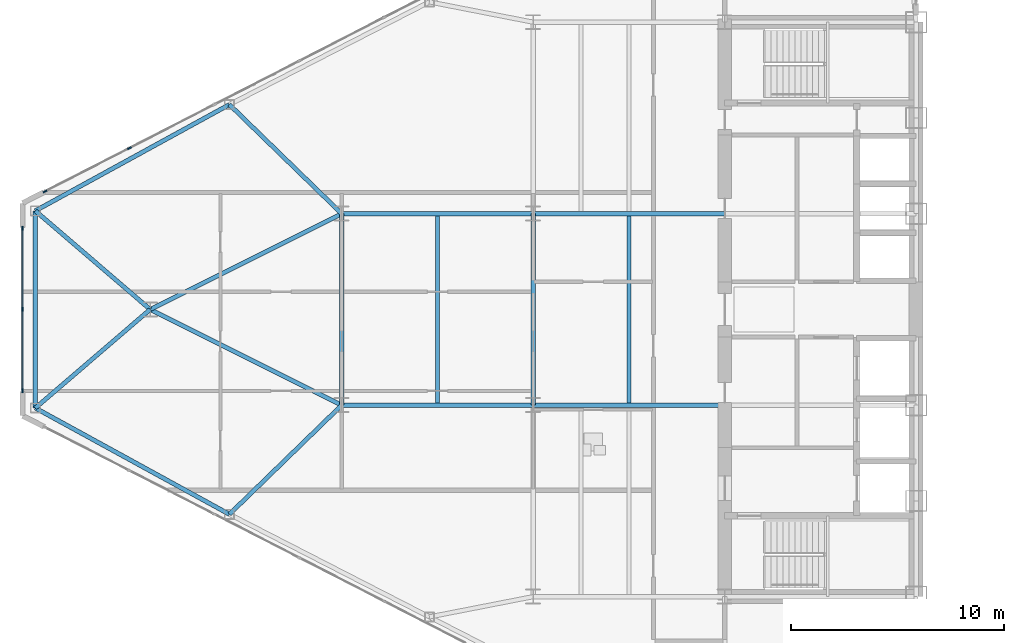
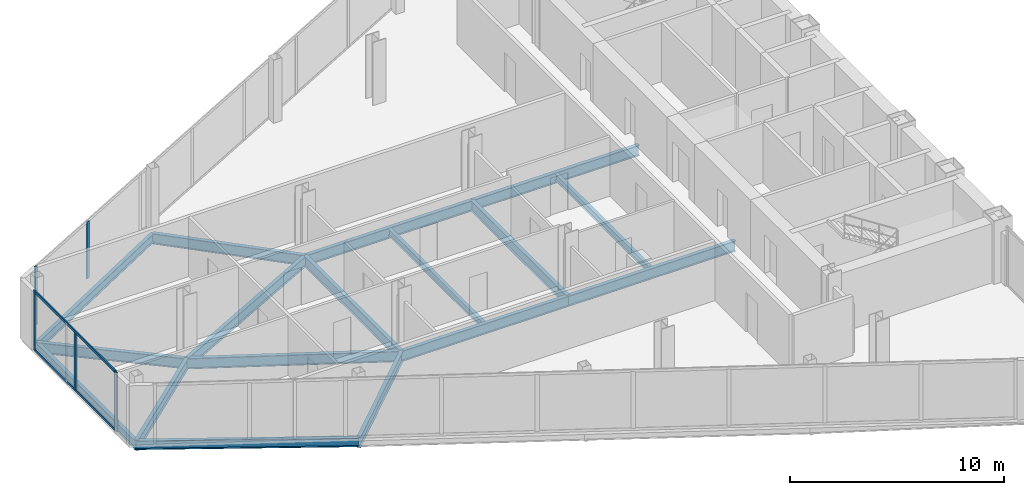
# One storey, part 4 of 23: 17 beams, 7 members, 2 elements without a shape of their own.
"""IFC4 building model written with IfcOpenShell, lengths in metres."""

from ifc_helpers import new_model, si_unit, direction, frame, origin, origin_2d, place, context, subcontext, project, spatial, rectangle, i_section, extrude, source, transform, mapped, material, layer, layer_set, material_profile, profile_set, type_object, type_shapes, element, aggregate, save


model = new_model("IFC4")

# Units and contexts
model_context = context("Model", 3, precision=1e-05, world=origin(), true_north=direction((0.0, 1.0)))
body_context = subcontext(model_context, "Body", "Model", "MODEL_VIEW")
ifc_project = project(units=[si_unit("LENGTHUNIT", "METRE"), si_unit("AREAUNIT", "SQUARE_METRE"), si_unit("VOLUMEUNIT", "CUBIC_METRE"), si_unit("PLANEANGLEUNIT", "RADIAN"), si_unit("MASSUNIT", "GRAM", prefix="KILO")], contexts=[model_context])

# Site, building, storey
site_placement = place(None, origin())
site = spatial("IfcSite", under=ifc_project, at=site_placement, CompositionType="ELEMENT")
building_placement = place(site_placement, origin())
building = spatial("IfcBuilding", under=site, at=building_placement, Name="Seokmaru Belvedere", CompositionType="ELEMENT")
storey_placement = place(building_placement, frame((0.0, 0.0, 128.39990234375)))
storey = spatial("IfcBuildingStorey", under=building, at=storey_placement, Name="L34", CompositionType="ELEMENT", Elevation=128.39990234375)

# Beams
ifc_material_1 = material(Name="Steel SM355 (355 MPa)", Category="steel")
ifc_material_profile_1 = material_profile(ifc_material_1, i_section(OverallWidth=0.199951171875, OverallDepth=0.60009765625, WebThickness=0.010986328125, FlangeThickness=0.01708984375, at=origin_2d()), Name="H-600x200x11x17")
ifc_profile_set_1 = profile_set([ifc_material_profile_1], Name="Steel SM355 (355 MPa)")
beam_type_1 = type_object("IfcBeamType", Name="Primary Floor Girder H-600", PredefinedType="BEAM", material=ifc_profile_set_1)
shared_shape_1 = source(origin(), body_context, "Body", "SweptSolid", [
    extrude(i_section(OverallWidth=0.199951171875, OverallDepth=0.60009765625, WebThickness=0.010986328125, FlangeThickness=0.01708984375, at=origin_2d()), origin(), (0.0, 0.0, 1.0), 9.0),
])
for number, where, z_axis, x_axis, name in (
    (1, (-45.5, -4.5, -0.52001953125), (0.0, 1.0, 0.0), (-1.0, 0.0, 0.0), "L34 W Interior Grid Girder 2"),
    (2, (-45.5, -4.5, -0.52001953125), (1.0, 0.0, 0.0), (0.0, 1.0, 0.0), "L34 W Wing Primary Girder 2"),
    (3, (-45.5, 4.5, -0.52001953125), (1.0, 0.0, 0.0), (0.0, 1.0, 0.0), "L34 W Wing Primary Girder 3"),
    (4, (-54.5, -4.5, -0.52001953125), (1.0, 0.0, 0.0), (0.0, 1.0, 0.0), "L34 W Outer Wing Girder 1"),
    (5, (-54.5, 4.5, -0.52001953125), (1.0, 0.0, 0.0), (0.0, 1.0, 0.0), "L34 W Outer Wing Girder 2"),
    (6, (-54.5, -4.5, -0.52001953125), (0.0, 1.0, 0.0), (-1.0, 0.0, 0.0), "L34 W Apex Frame Girder"),
):
    element("IfcBeam", number, at=place(storey_placement, frame(where, z_axis=z_axis, x_axis=x_axis)), inside=storey, type_object=beam_type_1, Name=name, PredefinedType="BEAM", context=body_context, shape_type="MappedRepresentation", body=[
        mapped(shared_shape_1, transform((0.0, 0.0, 0.0), scale=1.0)),
    ])
shared_shape_2 = source(origin(), body_context, "Body", "SweptSolid", [
    extrude(i_section(OverallWidth=0.199951171875, OverallDepth=0.60009765625, WebThickness=0.010986328125, FlangeThickness=0.01708984375, at=origin_2d()), origin(), (0.0, 0.0, 1.0), 10.062255859375),
])
for number, where, z_axis, x_axis, name in (
    (7, (-54.5, -4.5, -0.52001953125), (-0.894427191, 0.4472135955, 0.0), (-0.4472135955, -0.894427191, 0.0), "L34 W Apex Converging Girder 1"),
    (8, (-54.5, 4.5, -0.52001953125), (-0.894427191, -0.4472135955, 0.0), (0.4472135955, -0.894427191, 0.0), "L34 W Apex Converging Girder 2"),
):
    element("IfcBeam", number, at=place(storey_placement, frame(where, z_axis=z_axis, x_axis=x_axis)), inside=storey, type_object=beam_type_1, Name=name, PredefinedType="BEAM", context=body_context, shape_type="MappedRepresentation", body=[
        mapped(shared_shape_2, transform((0.0, 0.0, 0.0), scale=1.0)),
    ])
ifc_material_profile_2 = material_profile(ifc_material_1, i_section(OverallWidth=0.18505859375, OverallDepth=0.389892578125, WebThickness=0.008056640625, FlangeThickness=0.011962890625, at=origin_2d()), Name="H-390x185x8x12")
ifc_profile_set_2 = profile_set([ifc_material_profile_2], Name="Steel SM355 (355 MPa)")
beam_type_2 = type_object("IfcBeamType", Name="Secondary Floor Joist H-350", PredefinedType="JOIST", material=ifc_profile_set_2)
shared_shape_3 = source(origin(), body_context, "Body", "SweptSolid", [
    extrude(i_section(OverallWidth=0.18505859375, OverallDepth=0.389892578125, WebThickness=0.008056640625, FlangeThickness=0.011962890625, at=origin_2d()), origin(), (0.0, 0.0, 1.0), 8.7900390625),
])
type_shapes(beam_type_2, [shared_shape_3])
for number, where, z_axis, x_axis, name in (
    (9, (-41.0, -4.39501953125, -0.414794921875), (0.0, 1.0, 0.0), (-1.0, 0.0, 0.0), "L34 W Secondary Floor Joist 2"),
    (10, (-50.0, -4.39501953125, -0.414794921875), (0.0, 1.0, 0.0), (-1.0, 0.0, 0.0), "L34 W Outer Bay Secondary Joist"),
):
    element("IfcBeam", number, at=place(storey_placement, frame(where, z_axis=z_axis, x_axis=x_axis)), inside=storey, type_object=beam_type_2, Name=name, PredefinedType="JOIST", context=body_context, shape_type="MappedRepresentation", body=[
        mapped(shared_shape_3, transform((0.0, 0.0, 0.0), scale=1.0)),
    ])
ifc_material_profile_3 = material_profile(ifc_material_1, i_section(OverallWidth=0.199951171875, OverallDepth=0.5, WebThickness=0.010009765625, FlangeThickness=0.01611328125, at=origin_2d()), Name="H-500x200x10x16")
ifc_profile_set_3 = profile_set([ifc_material_profile_3], Name="Steel SM355 (355 MPa)")
beam_type_3 = type_object("IfcBeamType", Name="Perimeter Spandrel Beam H-500", PredefinedType="SPANDREL", material=ifc_profile_set_3)
shared_shape_4 = source(origin(), body_context, "Body", "SweptSolid", [
    extrude(i_section(OverallWidth=0.199951171875, OverallDepth=0.5, WebThickness=0.010009765625, FlangeThickness=0.01611328125, at=origin_2d()), origin(), (0.0, 0.0, 1.0), 10.399658203125),
])
for number, where, z_axis, x_axis, name in (
    (11, (-59.778564453125, -9.62890625, -0.469970703125), (-0.877082374422, 0.480339992587, 0.0), (-0.480339992587, -0.877082374422, 0.0), "L34 W Faceted Flank Spandrel S-4"),
    (12, (-59.778564453125, 9.62890625, -0.469970703125), (-0.877082374422, -0.480339992587, 0.0), (0.480339992587, -0.877082374422, 0.0), "L34 W Faceted Flank Spandrel N-4"),
):
    element("IfcBeam", number, at=place(storey_placement, frame(where, z_axis=z_axis, x_axis=x_axis)), inside=storey, type_object=beam_type_3, Name=name, PredefinedType="SPANDREL", context=body_context, shape_type="MappedRepresentation", body=[
        mapped(shared_shape_4, transform((0.0, 0.0, 0.0), scale=1.0)),
    ])
shared_shape_5 = source(origin(), body_context, "Body", "SweptSolid", [
    extrude(i_section(OverallWidth=0.199951171875, OverallDepth=0.5, WebThickness=0.010009765625, FlangeThickness=0.01611328125, at=origin_2d()), origin(), (0.0, 0.0, 1.0), 9.26708984375),
])
type_shapes(beam_type_3, [shared_shape_4, shared_shape_5])
beam_placement = place(storey_placement, frame((-68.89990234375, -4.633544921875, -0.469970703125), z_axis=(0.0, 1.0, 0.0), x_axis=(-1.0, 0.0, 0.0)))
element("IfcBeam", 13, at=beam_placement, inside=storey, type_object=beam_type_3, Name="L34 W Faceted Apex Spandrel", PredefinedType="SPANDREL", context=body_context, shape_type="MappedRepresentation", body=[
    mapped(shared_shape_5, transform((0.0, 0.0, 0.0), scale=1.0)),
])
shared_shape_6 = source(origin(), body_context, "Body", "SweptSolid", [
    extrude(i_section(OverallWidth=0.199951171875, OverallDepth=0.60009765625, WebThickness=0.010986328125, FlangeThickness=0.01708984375, at=origin_2d()), origin(), (0.0, 0.0, 1.0), 7.35986328125),
])
for number, where, z_axis, x_axis, name in (
    (14, (-59.778564453125, -9.62890625, -0.52001953125), (0.717200745515, 0.696866623273, 0.0), (-0.696866623273, 0.717200745515, 0.0), "L34 W Flank Radial Floor Girder S-3"),
    (15, (-59.778564453125, 9.62890625, -0.52001953125), (0.717200745515, -0.696866623273, 0.0), (0.696866623273, 0.717200745515, 0.0), "L34 W Flank Radial Floor Girder N-3"),
):
    element("IfcBeam", number, at=place(storey_placement, frame(where, z_axis=z_axis, x_axis=x_axis)), inside=storey, type_object=beam_type_1, Name=name, PredefinedType="BEAM", context=body_context, shape_type="MappedRepresentation", body=[
        mapped(shared_shape_6, transform((0.0, 0.0, 0.0), scale=1.0)),
    ])
shared_shape_7 = source(origin(), body_context, "Body", "SweptSolid", [
    extrude(i_section(OverallWidth=0.199951171875, OverallDepth=0.60009765625, WebThickness=0.010986328125, FlangeThickness=0.01708984375, at=origin_2d()), origin(), (0.0, 0.0, 1.0), 7.115478515625),
])
type_shapes(beam_type_1, [shared_shape_1, shared_shape_2, shared_shape_6, shared_shape_7])
for number, where, z_axis, x_axis, name in (
    (16, (-68.89990234375, -4.633544921875, -0.52001953125), (0.758905301881, 0.651201000289, 0.0), (-0.651201000289, 0.758905301881, 0.0), "L34 W Apex Radial Floor Girder 1"),
    (17, (-68.89990234375, 4.633544921875, -0.52001953125), (0.758905301881, -0.651201000289, 0.0), (0.651201000289, 0.758905301881, 0.0), "L34 W Apex Radial Floor Girder 2"),
):
    element("IfcBeam", number, at=place(storey_placement, frame(where, z_axis=z_axis, x_axis=x_axis)), inside=storey, type_object=beam_type_1, Name=name, PredefinedType="BEAM", context=body_context, shape_type="MappedRepresentation", body=[
        mapped(shared_shape_7, transform((0.0, 0.0, 0.0), scale=1.0)),
    ])

# Curtain wall, member
ifc_material_2 = material(Name="Bronze Triple Insulating Glass", Category="glass")
ifc_layer = layer(ifc_material_2, 0.195068359375)
ifc_layer_set = layer_set([ifc_layer], Name="Bronze Triple Insulating Glass")
curtain_wall_type = type_object("IfcCurtainWallType", Name="Sky-Lobby and Mid-Rise Curtain Wall System CW-4", PredefinedType="NOTDEFINED", material=ifc_layer_set)
curtain_wall_1_placement = place(storey_placement, origin())
curtain_wall_1 = element("IfcCurtainWall", 18, at=curtain_wall_1_placement, inside=storey, type_object=curtain_wall_type, Name="L34 Curtain Wall WF3", PredefinedType="NOTDEFINED")
ifc_material_3 = material(Name="Anodised Bronze Aluminium", Category="aluminium")
ifc_material_profile_4 = material_profile(ifc_material_3, rectangle(XDim=0.070068359375, YDim=0.195068359375, at=origin_2d()), Name="CW-M-70x195")
ifc_profile_set_4 = profile_set([ifc_material_profile_4], Name="Anodised Bronze Aluminium")
member_type_1 = type_object("IfcMemberType", Name="Bronze Unitised Mullion 70x195", PredefinedType="MULLION", material=ifc_profile_set_4)
shared_shape_8 = source(origin(), body_context, "Body", "SweptSolid", [
    extrude(rectangle(XDim=0.070068359375, YDim=0.195068359375, at=origin_2d()), origin(), (0.0, 0.0, 1.0), 3.380126953125),
])
member_1_placement = place(storey_placement, frame((-68.44580078125, 5.541015625, 0.0), z_axis=(0.0, 0.0, 1.0), x_axis=(0.456554528263, -0.889695432562, 0.0)))
member_1 = element("IfcMember", 19, at=member_1_placement, type_object=member_type_1, Name="CW:L34:WF3 Mullion 10", PredefinedType="MULLION", context=body_context, shape_type="MappedRepresentation", body=[
    mapped(shared_shape_8, transform((0.0, 0.0, 0.0), scale=1.0)),
])

# Curtain wall, members
curtain_wall_2_placement = place(storey_placement, origin())
curtain_wall_2 = element("IfcCurtainWall", 20, at=curtain_wall_2_placement, inside=storey, type_object=curtain_wall_type, Name="L34 Curtain Wall WF4", PredefinedType="NOTDEFINED")
member_2_placement = place(storey_placement, frame((-69.5, 3.81494140625, 0.0), z_axis=(0.0, 0.0, 1.0), x_axis=(1.0, 0.0, 0.0)))
member_2 = element("IfcMember", 21, at=member_2_placement, type_object=member_type_1, Name="CW:L34:WF4 Mullion 1", PredefinedType="MULLION", context=body_context, shape_type="MappedRepresentation", body=[
    mapped(shared_shape_8, transform((0.0, 0.0, 0.0), scale=1.0)),
])
member_3_placement = place(storey_placement, frame((-69.5, -3.81494140625, 0.0), z_axis=(0.0, 0.0, 1.0), x_axis=(1.0, 0.0, 0.0)))
member_3 = element("IfcMember", 22, at=member_3_placement, type_object=member_type_1, Name="CW:L34:WF4 Mullion 3", PredefinedType="MULLION", context=body_context, shape_type="MappedRepresentation", body=[
    mapped(shared_shape_8, transform((0.0, 0.0, 0.0), scale=1.0)),
])

# Member
shared_shape_9 = source(origin(), body_context, "Body", "SweptSolid", [
    extrude(rectangle(XDim=0.070068359375, YDim=0.195068359375, at=origin_2d()), origin(), (0.0, 0.0, 1.0), 3.25),
])
type_shapes(member_type_1, [shared_shape_8, shared_shape_9])
member_4_placement = place(storey_placement, frame((-64.48193359375, 7.574951171875, 0.065185546875), z_axis=(0.0, 0.0, 1.0), x_axis=(0.456554528263, -0.889695432562, 0.0)))
member_4 = element("IfcMember", 23, at=member_4_placement, type_object=member_type_1, Name="CW:L34:WF3 Mullion 9", PredefinedType="MULLION", context=body_context, shape_type="MappedRepresentation", body=[
    mapped(shared_shape_9, transform((0.0, 0.0, 0.0), scale=1.0)),
])

aggregate(curtain_wall_1, [member_4, member_1])

member_5_placement = place(storey_placement, frame((-69.5, 0.0, 0.065185546875), z_axis=(0.0, 0.0, 1.0), x_axis=(1.0, 0.0, 0.0)))
member_5 = element("IfcMember", 24, at=member_5_placement, type_object=member_type_1, Name="CW:L34:WF4 Mullion 2", PredefinedType="MULLION", context=body_context, shape_type="MappedRepresentation", body=[
    mapped(shared_shape_9, transform((0.0, 0.0, 0.0), scale=1.0)),
])

ifc_material_profile_5 = material_profile(ifc_material_3, rectangle(XDim=0.06494140625, YDim=0.14990234375, at=origin_2d()), Name="CW-T-65x150")
ifc_profile_set_5 = profile_set([ifc_material_profile_5], Name="Anodised Bronze Aluminium")
member_type_2 = type_object("IfcMemberType", Name="Bronze Unitised Transom 65x150", PredefinedType="USERDEFINED", material=ifc_profile_set_5)
shared_shape_10 = source(origin(), body_context, "Body", "SweptSolid", [
    extrude(rectangle(XDim=0.06494140625, YDim=0.14990234375, at=origin_2d()), origin(), (0.0, 0.0, 1.0), 7.56005859375),
])
type_shapes(member_type_2, [shared_shape_10])
member_6_placement = place(storey_placement, frame((-69.5, 3.780029296875, 0.03271484375), z_axis=(0.0, -1.0, 0.0), x_axis=(1.0, 0.0, 0.0)))
member_6 = element("IfcMember", 25, at=member_6_placement, type_object=member_type_2, Name="CW:L34:WF4 Continuous Transom 1", ObjectType="TRANSOM", PredefinedType="USERDEFINED", context=body_context, shape_type="MappedRepresentation", body=[
    mapped(shared_shape_10, transform((0.0, 0.0, 0.0), scale=1.0)),
])

member_7_placement = place(storey_placement, frame((-69.5, 3.780029296875, 3.34765625), z_axis=(0.0, -1.0, 0.0), x_axis=(1.0, 0.0, 0.0)))
member_7 = element("IfcMember", 26, at=member_7_placement, type_object=member_type_2, Name="CW:L34:WF4 Continuous Transom 2", ObjectType="TRANSOM", PredefinedType="USERDEFINED", context=body_context, shape_type="MappedRepresentation", body=[
    mapped(shared_shape_10, transform((0.0, 0.0, 0.0), scale=1.0)),
])

aggregate(curtain_wall_2, [member_2, member_5, member_3, member_6, member_7])

save(model, "model.ifc")
